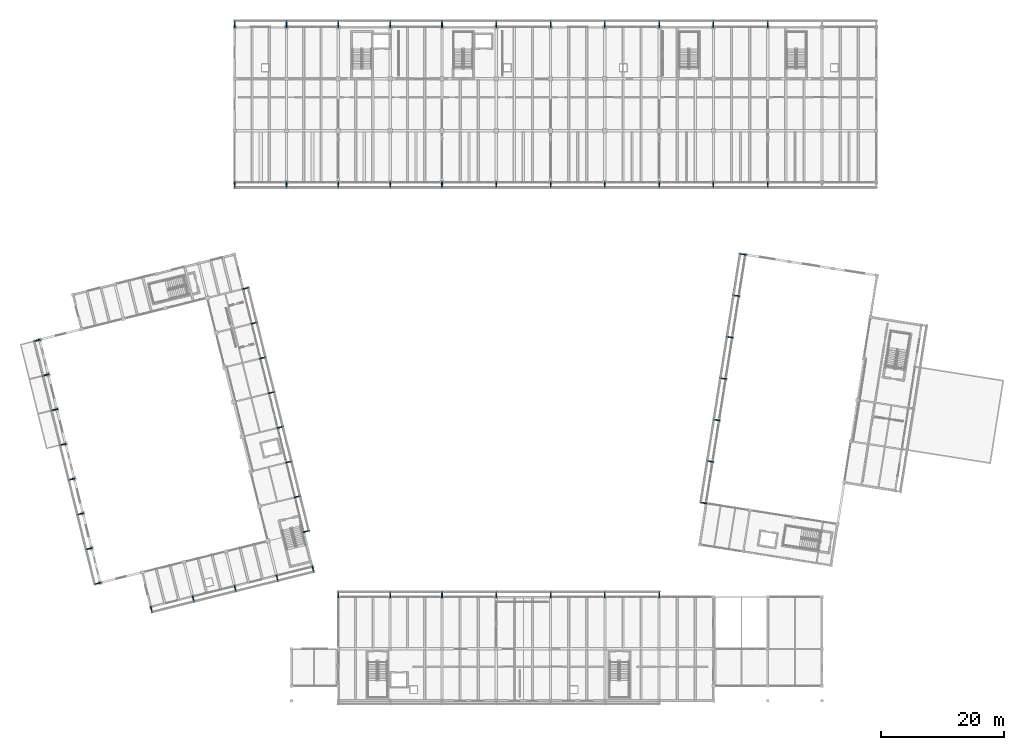
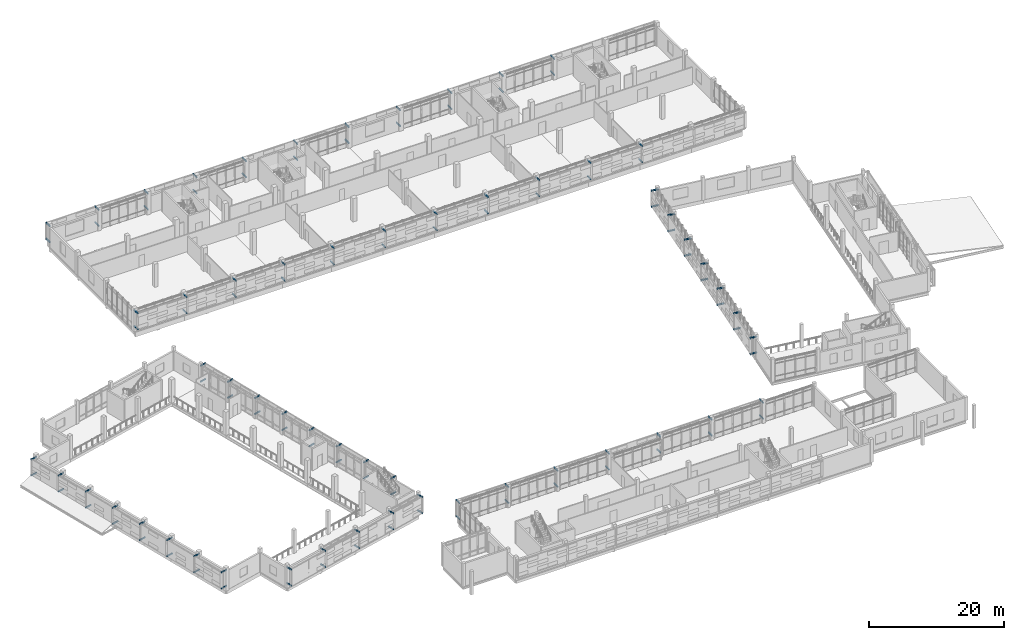
# One storey, part 117 of 137: 114 discrete accessories.
"""IFC4 building model written with IfcOpenShell, lengths in metres."""

from ifc_helpers import new_model, si_unit, direction, frame, origin, origin_2d, place, context, subcontext, project, spatial, rectangle, extrude, material, type_object, element, save


model = new_model("IFC4")

# Units and contexts
model_context = context("Model", 3, precision=1e-05, world=origin(), true_north=direction((0.0, 1.0)))
body_context = subcontext(model_context, "Body", "Model", "MODEL_VIEW")
ifc_project = project(units=[si_unit("LENGTHUNIT", "METRE"), si_unit("AREAUNIT", "SQUARE_METRE"), si_unit("VOLUMEUNIT", "CUBIC_METRE"), si_unit("PLANEANGLEUNIT", "RADIAN"), si_unit("MASSUNIT", "GRAM", prefix="KILO")], contexts=[model_context])

# Site, building, storey
site_placement = place(None, origin())
site = spatial("IfcSite", under=ifc_project, at=site_placement, CompositionType="ELEMENT")
building_placement = place(site_placement, origin())
building = spatial("IfcBuilding", under=site, at=building_placement, Name="Cinderway Yard Community Centre", CompositionType="ELEMENT")
storey_placement = place(building_placement, frame((0.0, 0.0, 4.800048828125)))
storey = spatial("IfcBuildingStorey", under=building, at=storey_placement, Name="L01", CompositionType="ELEMENT", Elevation=4.800048828125)

# Discrete accessories
ifc_material = material(Name="Steel S355", Category="steel")
discrete_accessory_type = type_object("IfcDiscreteAccessoryType", Name="ENV-ACC-BRACKET", PredefinedType="BRACKET", material=ifc_material)
for number, where, z_axis, x_axis, name in (
    (1, (41.60009765625, 115.675048828125, 0.6201171875), (0.0, 0.0, 1.0), (0.0, 1.0, 0.0), "Screen outrigger bracket 0003"),
    (2, (41.60009765625, 115.675048828125, 3.509765625), (0.0, 0.0, 1.0), (0.0, 1.0, 0.0), "Screen outrigger bracket 0004"),
    (3, (50.0, 115.675048828125, 0.6201171875), (0.0, 0.0, 1.0), (0.0, 1.0, 0.0), "Screen outrigger bracket 0007"),
    (4, (50.0, 115.675048828125, 3.509765625), (0.0, 0.0, 1.0), (0.0, 1.0, 0.0), "Screen outrigger bracket 0008"),
    (5, (58.39990234375, 115.675048828125, 0.6201171875), (0.0, 0.0, 1.0), (0.0, 1.0, 0.0), "Screen outrigger bracket 0011"),
    (6, (58.39990234375, 115.675048828125, 3.509765625), (0.0, 0.0, 1.0), (0.0, 1.0, 0.0), "Screen outrigger bracket 0012"),
    (7, (66.800048828125, 115.675048828125, 0.6201171875), (0.0, 0.0, 1.0), (0.0, 1.0, 0.0), "Screen outrigger bracket 0015"),
    (8, (66.800048828125, 115.675048828125, 3.509765625), (0.0, 0.0, 1.0), (0.0, 1.0, 0.0), "Screen outrigger bracket 0016"),
    (9, (75.199951171875, 115.675048828125, 0.6201171875), (0.0, 0.0, 1.0), (0.0, 1.0, 0.0), "Screen outrigger bracket 0019"),
    (10, (75.199951171875, 115.675048828125, 3.509765625), (0.0, 0.0, 1.0), (0.0, 1.0, 0.0), "Screen outrigger bracket 0020"),
    (11, (84.0, 115.675048828125, 0.6201171875), (0.0, 0.0, 1.0), (0.0, 1.0, 0.0), "Screen outrigger bracket 0023"),
    (12, (84.0, 115.675048828125, 3.509765625), (0.0, 0.0, 1.0), (0.0, 1.0, 0.0), "Screen outrigger bracket 0024"),
    (13, (92.800048828125, 115.675048828125, 0.6201171875), (0.0, 0.0, 1.0), (0.0, 1.0, 0.0), "Screen outrigger bracket 0027"),
    (14, (92.800048828125, 115.675048828125, 3.509765625), (0.0, 0.0, 1.0), (0.0, 1.0, 0.0), "Screen outrigger bracket 0028"),
    (15, (101.60009765625, 115.675048828125, 0.6201171875), (0.0, 0.0, 1.0), (0.0, 1.0, 0.0), "Screen outrigger bracket 0031"),
    (16, (101.60009765625, 115.675048828125, 3.509765625), (0.0, 0.0, 1.0), (0.0, 1.0, 0.0), "Screen outrigger bracket 0032"),
    (17, (110.39990234375, 115.675048828125, 0.6201171875), (0.0, 0.0, 1.0), (0.0, 1.0, 0.0), "Screen outrigger bracket 0035"),
    (18, (110.39990234375, 115.675048828125, 3.509765625), (0.0, 0.0, 1.0), (0.0, 1.0, 0.0), "Screen outrigger bracket 0036"),
    (19, (119.199951171875, 115.675048828125, 0.6201171875), (0.0, 0.0, 1.0), (0.0, 1.0, 0.0), "Screen outrigger bracket 0039"),
    (20, (119.199951171875, 115.675048828125, 3.509765625), (0.0, 0.0, 1.0), (0.0, 1.0, 0.0), "Screen outrigger bracket 0040"),
    (21, (128.0, 115.675048828125, 0.6201171875), (0.0, 0.0, 1.0), (0.0, 1.0, 0.0), "Screen outrigger bracket 0043"),
    (22, (128.0, 115.675048828125, 3.509765625), (0.0, 0.0, 1.0), (0.0, 1.0, 0.0), "Screen outrigger bracket 0044"),
):
    element("IfcDiscreteAccessory", number, at=place(storey_placement, frame(where, z_axis=z_axis, x_axis=x_axis)), inside=storey, type_object=discrete_accessory_type, Name=name, PredefinedType="BRACKET", context=body_context, shape_type="SweptSolid", body=[
        extrude(rectangle(XDim=1.18994140625, YDim=0.179931640625, at=origin_2d()), origin(), (0.0, 0.0, 1.0), 0.219970703125),
    ])
for number, where, z_axis, x_axis, name in (
    (23, (41.60009765625, 89.574951171875, 0.6201171875), (0.0, 0.0, 1.0), (0.0, -1.0, 0.0), "Screen outrigger bracket 0175"),
    (24, (41.60009765625, 89.574951171875, 3.509765625), (0.0, 0.0, 1.0), (0.0, -1.0, 0.0), "Screen outrigger bracket 0176"),
    (25, (50.0, 89.574951171875, 0.6201171875), (0.0, 0.0, 1.0), (0.0, -1.0, 0.0), "Screen outrigger bracket 0179"),
    (26, (50.0, 89.574951171875, 3.509765625), (0.0, 0.0, 1.0), (0.0, -1.0, 0.0), "Screen outrigger bracket 0180"),
    (27, (58.39990234375, 89.574951171875, 0.6201171875), (0.0, 0.0, 1.0), (0.0, -1.0, 0.0), "Screen outrigger bracket 0183"),
    (28, (58.39990234375, 89.574951171875, 3.509765625), (0.0, 0.0, 1.0), (0.0, -1.0, 0.0), "Screen outrigger bracket 0184"),
    (29, (66.800048828125, 89.574951171875, 0.6201171875), (0.0, 0.0, 1.0), (0.0, -1.0, 0.0), "Screen outrigger bracket 0187"),
    (30, (66.800048828125, 89.574951171875, 3.509765625), (0.0, 0.0, 1.0), (0.0, -1.0, 0.0), "Screen outrigger bracket 0188"),
    (31, (75.199951171875, 89.574951171875, 0.6201171875), (0.0, 0.0, 1.0), (0.0, -1.0, 0.0), "Screen outrigger bracket 0191"),
    (32, (75.199951171875, 89.574951171875, 3.509765625), (0.0, 0.0, 1.0), (0.0, -1.0, 0.0), "Screen outrigger bracket 0192"),
    (33, (84.0, 89.574951171875, 0.6201171875), (0.0, 0.0, 1.0), (0.0, -1.0, 0.0), "Screen outrigger bracket 0195"),
    (34, (84.0, 89.574951171875, 3.509765625), (0.0, 0.0, 1.0), (0.0, -1.0, 0.0), "Screen outrigger bracket 0196"),
    (35, (92.800048828125, 89.574951171875, 0.6201171875), (0.0, 0.0, 1.0), (0.0, -1.0, 0.0), "Screen outrigger bracket 0199"),
    (36, (92.800048828125, 89.574951171875, 3.509765625), (0.0, 0.0, 1.0), (0.0, -1.0, 0.0), "Screen outrigger bracket 0200"),
    (37, (101.60009765625, 89.574951171875, 0.6201171875), (0.0, 0.0, 1.0), (0.0, -1.0, 0.0), "Screen outrigger bracket 0203"),
    (38, (101.60009765625, 89.574951171875, 3.509765625), (0.0, 0.0, 1.0), (0.0, -1.0, 0.0), "Screen outrigger bracket 0204"),
    (39, (110.39990234375, 89.574951171875, 0.6201171875), (0.0, 0.0, 1.0), (0.0, -1.0, 0.0), "Screen outrigger bracket 0207"),
    (40, (110.39990234375, 89.574951171875, 3.509765625), (0.0, 0.0, 1.0), (0.0, -1.0, 0.0), "Screen outrigger bracket 0208"),
    (41, (119.199951171875, 89.574951171875, 0.6201171875), (0.0, 0.0, 1.0), (0.0, -1.0, 0.0), "Screen outrigger bracket 0211"),
    (42, (119.199951171875, 89.574951171875, 3.509765625), (0.0, 0.0, 1.0), (0.0, -1.0, 0.0), "Screen outrigger bracket 0212"),
    (43, (128.0, 89.574951171875, 0.6201171875), (0.0, 0.0, 1.0), (0.0, -1.0, 0.0), "Screen outrigger bracket 0215"),
    (44, (128.0, 89.574951171875, 3.509765625), (0.0, 0.0, 1.0), (0.0, -1.0, 0.0), "Screen outrigger bracket 0216"),
    (45, (58.39990234375, 23.22509765625, 0.6201171875), (0.0, 0.0, 1.0), (0.0, 1.0, 0.0), "Screen outrigger bracket 0327"),
    (46, (58.39990234375, 23.22509765625, 3.509765625), (0.0, 0.0, 1.0), (0.0, 1.0, 0.0), "Screen outrigger bracket 0328"),
    (47, (66.800048828125, 23.22509765625, 0.6201171875), (0.0, 0.0, 1.0), (0.0, 1.0, 0.0), "Screen outrigger bracket 0331"),
    (48, (66.800048828125, 23.22509765625, 3.509765625), (0.0, 0.0, 1.0), (0.0, 1.0, 0.0), "Screen outrigger bracket 0332"),
    (49, (75.199951171875, 23.22509765625, 0.6201171875), (0.0, 0.0, 1.0), (0.0, 1.0, 0.0), "Screen outrigger bracket 0335"),
    (50, (75.199951171875, 23.22509765625, 3.509765625), (0.0, 0.0, 1.0), (0.0, 1.0, 0.0), "Screen outrigger bracket 0336"),
    (51, (84.0, 23.22509765625, 0.6201171875), (0.0, 0.0, 1.0), (0.0, 1.0, 0.0), "Screen outrigger bracket 0339"),
    (52, (84.0, 23.22509765625, 3.509765625), (0.0, 0.0, 1.0), (0.0, 1.0, 0.0), "Screen outrigger bracket 0340"),
    (53, (92.800048828125, 23.22509765625, 0.6201171875), (0.0, 0.0, 1.0), (0.0, 1.0, 0.0), "Screen outrigger bracket 0343"),
    (54, (92.800048828125, 23.22509765625, 3.509765625), (0.0, 0.0, 1.0), (0.0, 1.0, 0.0), "Screen outrigger bracket 0344"),
    (55, (101.60009765625, 23.22509765625, 0.6201171875), (0.0, 0.0, 1.0), (0.0, 1.0, 0.0), "Screen outrigger bracket 0347"),
    (56, (101.60009765625, 23.22509765625, 3.509765625), (0.0, 0.0, 1.0), (0.0, 1.0, 0.0), "Screen outrigger bracket 0348"),
    (57, (110.39990234375, 23.22509765625, 0.6201171875), (0.0, 0.0, 1.0), (0.0, 1.0, 0.0), "Screen outrigger bracket 0351"),
    (58, (110.39990234375, 23.22509765625, 3.509765625), (0.0, 0.0, 1.0), (0.0, 1.0, 0.0), "Screen outrigger bracket 0352"),
):
    element("IfcDiscreteAccessory", number, at=place(storey_placement, frame(where, z_axis=z_axis, x_axis=x_axis)), inside=storey, type_object=discrete_accessory_type, Name=name, PredefinedType="BRACKET", context=body_context, shape_type="SweptSolid", body=[
        extrude(rectangle(XDim=1.090087890625, YDim=0.179931640625, at=origin_2d()), origin(), (0.0, 0.0, 1.0), 0.219970703125),
    ])
for number, where, z_axis, x_axis, name in (
    (59, (19.3720703125, 25.008056640625, 0.6201171875), (0.0, 0.0, 1.0), (-0.970295726276, -0.2419218956, 0.0), "Screen outrigger bracket 0411"),
    (60, (19.3720703125, 25.008056640625, 3.509765625), (0.0, 0.0, 1.0), (-0.970295726276, -0.2419218956, 0.0), "Screen outrigger bracket 0412"),
    (61, (17.968994140625, 30.635986328125, 0.6201171875), (0.0, 0.0, 1.0), (-0.970295726276, -0.2419218956, 0.0), "Screen outrigger bracket 0415"),
    (62, (17.968994140625, 30.635986328125, 3.509765625), (0.0, 0.0, 1.0), (-0.970295726276, -0.2419218956, 0.0), "Screen outrigger bracket 0416"),
    (63, (16.56591796875, 36.262939453125, 0.6201171875), (0.0, 0.0, 1.0), (-0.970295726276, -0.2419218956, 0.0), "Screen outrigger bracket 0419"),
    (64, (16.56591796875, 36.262939453125, 3.509765625), (0.0, 0.0, 1.0), (-0.970295726276, -0.2419218956, 0.0), "Screen outrigger bracket 0420"),
    (65, (15.1630859375, 41.89111328125, 0.6201171875), (0.0, 0.0, 1.0), (-0.970295726276, -0.2419218956, 0.0), "Screen outrigger bracket 0423"),
    (66, (15.1630859375, 41.89111328125, 3.509765625), (0.0, 0.0, 1.0), (-0.970295726276, -0.2419218956, 0.0), "Screen outrigger bracket 0424"),
    (67, (13.760009765625, 47.51904296875, 0.6201171875), (0.0, 0.0, 1.0), (-0.970295726276, -0.2419218956, 0.0), "Screen outrigger bracket 0427"),
    (68, (13.760009765625, 47.51904296875, 3.509765625), (0.0, 0.0, 1.0), (-0.970295726276, -0.2419218956, 0.0), "Screen outrigger bracket 0428"),
    (69, (12.35693359375, 53.14599609375, 0.6201171875), (0.0, 0.0, 1.0), (-0.970295726276, -0.2419218956, 0.0), "Screen outrigger bracket 0431"),
    (70, (12.35693359375, 53.14599609375, 3.509765625), (0.0, 0.0, 1.0), (-0.970295726276, -0.2419218956, 0.0), "Screen outrigger bracket 0432"),
    (71, (10.9541015625, 58.77392578125, 0.6201171875), (0.0, 0.0, 1.0), (-0.970295726276, -0.2419218956, 0.0), "Screen outrigger bracket 0435"),
    (72, (10.9541015625, 58.77392578125, 3.509765625), (0.0, 0.0, 1.0), (-0.970295726276, -0.2419218956, 0.0), "Screen outrigger bracket 0436"),
    (73, (9.550048828125, 64.402099609375, 0.6201171875), (0.0, 0.0, 1.0), (-0.970295726276, -0.2419218956, 0.0), "Screen outrigger bracket 0439"),
    (74, (9.550048828125, 64.402099609375, 3.509765625), (0.0, 0.0, 1.0), (-0.970295726276, -0.2419218956, 0.0), "Screen outrigger bracket 0440"),
):
    element("IfcDiscreteAccessory", number, at=place(storey_placement, frame(where, z_axis=z_axis, x_axis=x_axis)), inside=storey, type_object=discrete_accessory_type, Name=name, PredefinedType="BRACKET", context=body_context, shape_type="SweptSolid", body=[
        extrude(rectangle(XDim=1.139892578125, YDim=0.179931640625, at=origin_2d()), origin(), (0.0, 0.0, 1.0), 0.219970703125),
    ])
for number, where, z_axis, x_axis, name in (
    (75, (53.2109375, 33.445068359375, 0.6201171875), (0.0, 0.0, 1.0), (0.970295726276, 0.2419218956, 0.0), "Screen outrigger bracket 0443"),
    (76, (53.2109375, 33.445068359375, 3.509765625), (0.0, 0.0, 1.0), (0.970295726276, 0.2419218956, 0.0), "Screen outrigger bracket 0444"),
    (77, (51.80810546875, 39.072998046875, 0.6201171875), (0.0, 0.0, 1.0), (0.970295726276, 0.2419218956, 0.0), "Screen outrigger bracket 0447"),
    (78, (51.80810546875, 39.072998046875, 3.509765625), (0.0, 0.0, 1.0), (0.970295726276, 0.2419218956, 0.0), "Screen outrigger bracket 0448"),
    (79, (50.405029296875, 44.700927734375, 0.6201171875), (0.0, 0.0, 1.0), (0.970295726276, 0.2419218956, 0.0), "Screen outrigger bracket 0451"),
    (80, (50.405029296875, 44.700927734375, 3.509765625), (0.0, 0.0, 1.0), (0.970295726276, 0.2419218956, 0.0), "Screen outrigger bracket 0452"),
    (81, (49.001953125, 50.327880859375, 0.6201171875), (0.0, 0.0, 1.0), (0.970295726276, 0.2419218956, 0.0), "Screen outrigger bracket 0455"),
    (82, (49.001953125, 50.327880859375, 3.509765625), (0.0, 0.0, 1.0), (0.970295726276, 0.2419218956, 0.0), "Screen outrigger bracket 0456"),
    (83, (47.59912109375, 55.9560546875, 0.6201171875), (0.0, 0.0, 1.0), (0.970295726276, 0.2419218956, 0.0), "Screen outrigger bracket 0459"),
    (84, (47.59912109375, 55.9560546875, 3.509765625), (0.0, 0.0, 1.0), (0.970295726276, 0.2419218956, 0.0), "Screen outrigger bracket 0460"),
    (85, (46.196044921875, 61.583984375, 0.6201171875), (0.0, 0.0, 1.0), (0.970295726276, 0.2419218956, 0.0), "Screen outrigger bracket 0463"),
    (86, (46.196044921875, 61.583984375, 3.509765625), (0.0, 0.0, 1.0), (0.970295726276, 0.2419218956, 0.0), "Screen outrigger bracket 0464"),
    (87, (44.79296875, 67.2109375, 0.6201171875), (0.0, 0.0, 1.0), (0.970295726276, 0.2419218956, 0.0), "Screen outrigger bracket 0467"),
    (88, (44.79296875, 67.2109375, 3.509765625), (0.0, 0.0, 1.0), (0.970295726276, 0.2419218956, 0.0), "Screen outrigger bracket 0468"),
    (89, (43.388916015625, 72.839111328125, 0.6201171875), (0.0, 0.0, 1.0), (0.970295726276, 0.2419218956, 0.0), "Screen outrigger bracket 0471"),
    (90, (43.388916015625, 72.839111328125, 3.509765625), (0.0, 0.0, 1.0), (0.970295726276, 0.2419218956, 0.0), "Screen outrigger bracket 0472"),
    (91, (28.10791015625, 20.77099609375, 0.6201171875), (0.0, 0.0, 1.0), (0.2419218956, -0.970295726276, 0.0), "Screen outrigger bracket 0475"),
    (92, (28.10791015625, 20.77099609375, 3.509765625), (0.0, 0.0, 1.0), (0.2419218956, -0.970295726276, 0.0), "Screen outrigger bracket 0476"),
    (93, (34.89990234375, 22.464111328125, 0.6201171875), (0.0, 0.0, 1.0), (0.2419218956, -0.970295726276, 0.0), "Screen outrigger bracket 0479"),
    (94, (34.89990234375, 22.464111328125, 3.509765625), (0.0, 0.0, 1.0), (0.2419218956, -0.970295726276, 0.0), "Screen outrigger bracket 0480"),
    (95, (41.69189453125, 24.156982421875, 0.6201171875), (0.0, 0.0, 1.0), (0.2419218956, -0.970295726276, 0.0), "Screen outrigger bracket 0483"),
    (96, (41.69189453125, 24.156982421875, 3.509765625), (0.0, 0.0, 1.0), (0.2419218956, -0.970295726276, 0.0), "Screen outrigger bracket 0484"),
    (97, (48.48388671875, 25.85107421875, 0.6201171875), (0.0, 0.0, 1.0), (0.2419218956, -0.970295726276, 0.0), "Screen outrigger bracket 0487"),
    (98, (48.48388671875, 25.85107421875, 3.509765625), (0.0, 0.0, 1.0), (0.2419218956, -0.970295726276, 0.0), "Screen outrigger bracket 0488"),
    (99, (54.305908203125, 27.302001953125, 0.6201171875), (0.0, 0.0, 1.0), (0.2419218956, -0.970295726276, 0.0), "Screen outrigger bracket 0491"),
    (100, (54.305908203125, 27.302001953125, 3.509765625), (0.0, 0.0, 1.0), (0.2419218956, -0.970295726276, 0.0), "Screen outrigger bracket 0492"),
    (101, (117.580078125, 38.06591796875, 0.6201171875), (0.0, 0.0, 1.0), (-0.987688340595, 0.15643446504, 0.0), "Screen outrigger bracket 0579"),
    (102, (117.580078125, 38.06591796875, 3.509765625), (0.0, 0.0, 1.0), (-0.987688340595, 0.15643446504, 0.0), "Screen outrigger bracket 0580"),
    (103, (118.64404296875, 44.781982421875, 0.6201171875), (0.0, 0.0, 1.0), (-0.987688340595, 0.15643446504, 0.0), "Screen outrigger bracket 0583"),
    (104, (118.64404296875, 44.781982421875, 3.509765625), (0.0, 0.0, 1.0), (-0.987688340595, 0.15643446504, 0.0), "Screen outrigger bracket 0584"),
    (105, (119.7080078125, 51.4990234375, 0.6201171875), (0.0, 0.0, 1.0), (-0.987688340595, 0.15643446504, 0.0), "Screen outrigger bracket 0587"),
    (106, (119.7080078125, 51.4990234375, 3.509765625), (0.0, 0.0, 1.0), (-0.987688340595, 0.15643446504, 0.0), "Screen outrigger bracket 0588"),
    (107, (120.77099609375, 58.215087890625, 0.6201171875), (0.0, 0.0, 1.0), (-0.987688340595, 0.15643446504, 0.0), "Screen outrigger bracket 0591"),
    (108, (120.77099609375, 58.215087890625, 3.509765625), (0.0, 0.0, 1.0), (-0.987688340595, 0.15643446504, 0.0), "Screen outrigger bracket 0592"),
    (109, (121.8349609375, 64.930908203125, 0.6201171875), (0.0, 0.0, 1.0), (-0.987688340595, 0.15643446504, 0.0), "Screen outrigger bracket 0595"),
    (110, (121.8349609375, 64.930908203125, 3.509765625), (0.0, 0.0, 1.0), (-0.987688340595, 0.15643446504, 0.0), "Screen outrigger bracket 0596"),
    (111, (122.89892578125, 71.64697265625, 0.6201171875), (0.0, 0.0, 1.0), (-0.987688340595, 0.15643446504, 0.0), "Screen outrigger bracket 0599"),
    (112, (122.89892578125, 71.64697265625, 3.509765625), (0.0, 0.0, 1.0), (-0.987688340595, 0.15643446504, 0.0), "Screen outrigger bracket 0600"),
    (113, (123.962890625, 78.364013671875, 0.6201171875), (0.0, 0.0, 1.0), (-0.987688340595, 0.15643446504, 0.0), "Screen outrigger bracket 0603"),
    (114, (123.962890625, 78.364013671875, 3.509765625), (0.0, 0.0, 1.0), (-0.987688340595, 0.15643446504, 0.0), "Screen outrigger bracket 0604"),
):
    element("IfcDiscreteAccessory", number, at=place(storey_placement, frame(where, z_axis=z_axis, x_axis=x_axis)), inside=storey, type_object=discrete_accessory_type, Name=name, PredefinedType="BRACKET", context=body_context, shape_type="SweptSolid", body=[
        extrude(rectangle(XDim=1.090087890625, YDim=0.179931640625, at=origin_2d()), origin(), (0.0, 0.0, 1.0), 0.219970703125),
    ])

save(model, "model.ifc")
